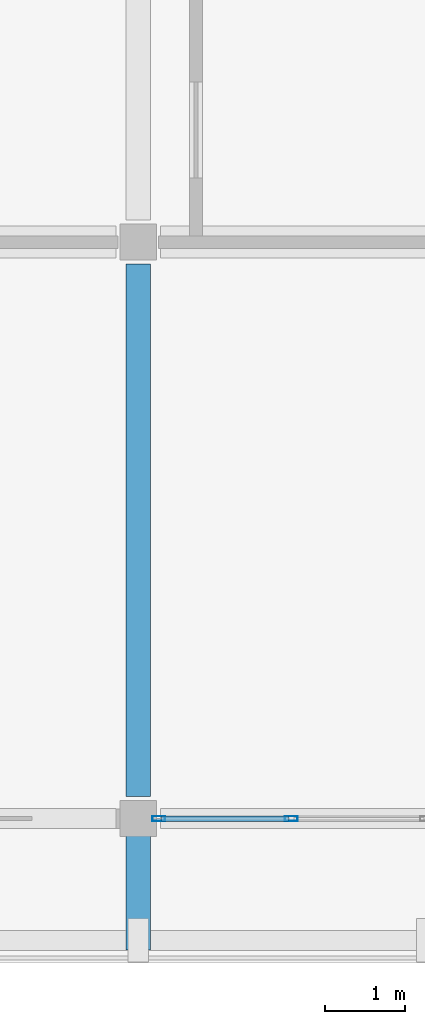
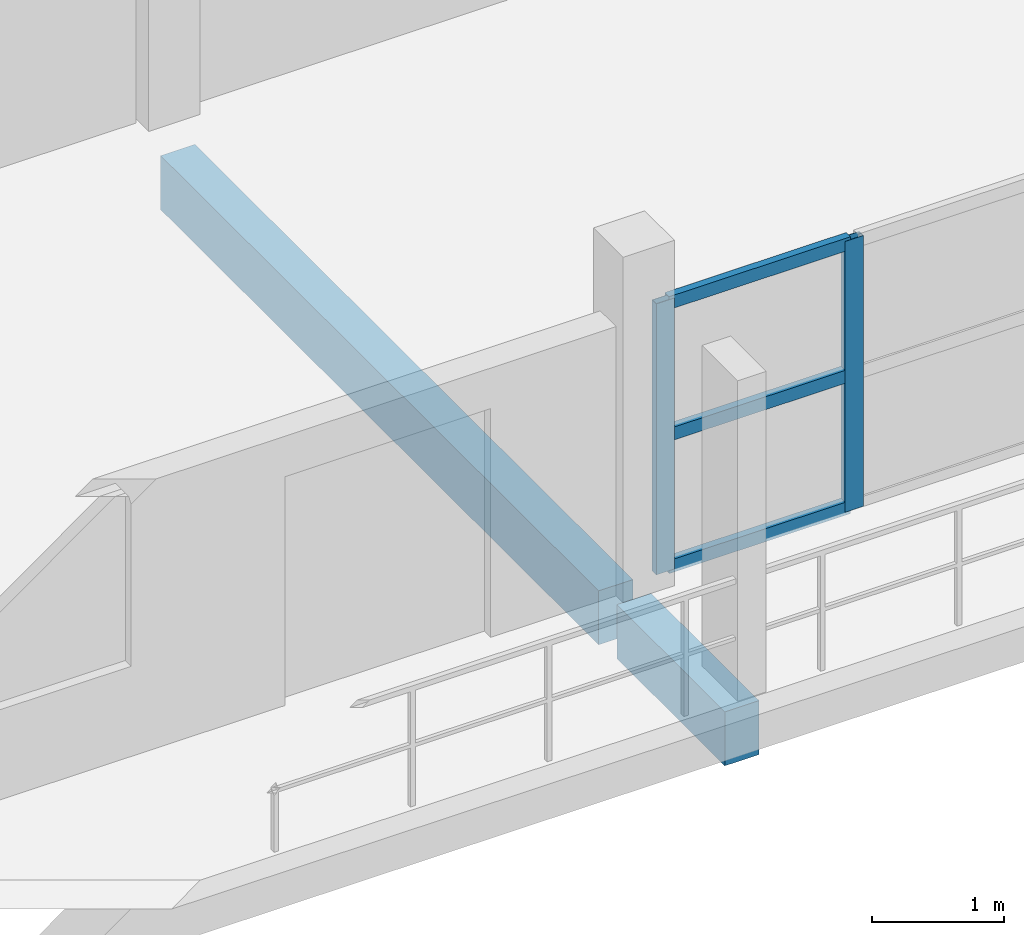
# One storey, part 4 of 56: 5 members, 2 beams, 1 element without a shape of its own.
"""IFC4 building model written with IfcOpenShell, lengths in metres."""

from ifc_helpers import new_model, si_unit, direction, frame, origin, origin_2d, place, context, subcontext, project, spatial, rectangle, hollow_rectangle, extrude, material, material_profile, profile_set, type_object, element, aggregate, save


model = new_model("IFC4")

# Units and contexts
model_context = context("Model", 3, precision=1e-05, world=origin(), true_north=direction((0.0, 1.0)))
body_context = subcontext(model_context, "Body", "Model", "MODEL_VIEW")
ifc_project = project(units=[si_unit("LENGTHUNIT", "METRE"), si_unit("AREAUNIT", "SQUARE_METRE"), si_unit("VOLUMEUNIT", "CUBIC_METRE"), si_unit("PLANEANGLEUNIT", "RADIAN"), si_unit("MASSUNIT", "GRAM", prefix="KILO")], contexts=[model_context])

# Site, building, storey
site_placement = place(None, origin())
site = spatial("IfcSite", under=ifc_project, at=site_placement, CompositionType="ELEMENT")
building_placement = place(site_placement, origin())
building = spatial("IfcBuilding", under=site, at=building_placement, Name="Suanplinth Sawtooth Commons", CompositionType="ELEMENT")
storey_placement = place(building_placement, frame((0.0, 0.0, 34.800048828125)))
storey = spatial("IfcBuildingStorey", under=building, at=storey_placement, Name="L10", CompositionType="ELEMENT", Elevation=34.800048828125)

# Beams
ifc_material_1 = material(Name="Precast concrete C40/50", Category="concrete")
ifc_material_profile_1 = material_profile(ifc_material_1, rectangle(XDim=0.300048828125, YDim=0.5, at=origin_2d()), Name="PC-BM 300x500")
ifc_profile_set_1 = profile_set([ifc_material_profile_1], Name="Precast concrete C40/50")
beam_type = type_object("IfcBeamType", Name="B-07", PredefinedType="BEAM", material=ifc_profile_set_1)
beam_1_placement = place(storey_placement, frame((144.0, 0.27490234375, -0.469970703125), z_axis=(0.0, 1.0, 0.0), x_axis=(-1.0, 0.0, 0.0)))
element("IfcBeam", 1, at=beam_1_placement, inside=storey, type_object=beam_type, Name="BMY-L10-C-20-0", PredefinedType="BEAM", context=body_context, shape_type="SweptSolid", body=[
    extrude(rectangle(XDim=0.300048828125, YDim=0.5, at=origin_2d()), origin(), (0.0, 0.0, 1.0), 6.650146484375),
])
beam_2_placement = place(storey_placement, frame((144.0, 0.0, -0.429931640625), z_axis=(0.0, -1.0, 0.0), x_axis=(1.0, 0.0, 0.0)))
element("IfcBeam", 2, at=beam_2_placement, inside=storey, type_object=beam_type, Name="Balcony Outrigger L10-C-S-20", PredefinedType="BEAM", context=body_context, shape_type="SweptSolid", body=[
    extrude(rectangle(XDim=0.300048828125, YDim=0.5, at=origin_2d()), origin(), (0.0, 0.0, 1.0), 1.639892578125),
])

# Curtain wall, members
ifc_material_2 = material(Name="Anodized aluminium and low-E glazing", Category="aluminium")
curtain_wall_type = type_object("IfcCurtainWallType", Name="CW-06", PredefinedType="USERDEFINED", material=ifc_material_2)
curtain_wall_placement = place(storey_placement, origin())
curtain_wall = element("IfcCurtainWall", 3, at=curtain_wall_placement, inside=storey, type_object=curtain_wall_type, Name="Curtain Wall CW-L10-C-LOUNGE-20", ObjectType="CURTAIN WALL", PredefinedType="USERDEFINED")
ifc_material_3 = material(Name="Anodized aluminium 6063-T6", Category="aluminium")
ifc_material_profile_2 = material_profile(ifc_material_3, hollow_rectangle(XDim=0.06494140625, YDim=0.159912109375, WallThickness=0.00390625, at=origin_2d()), Name="ALU-MUL 65x160")
ifc_profile_set_2 = profile_set([ifc_material_profile_2], Name="Anodized aluminium 6063-T6")
member_type_1 = type_object("IfcMemberType", Name="M-13", PredefinedType="MULLION", material=ifc_profile_set_2)
member_1_placement = place(storey_placement, frame((144.257568359375, 0.0, 0.0), z_axis=(0.0, 0.0, 1.0), x_axis=(0.0, 1.0, 0.0)))
member_1 = element("IfcMember", 4, at=member_1_placement, type_object=member_type_1, Name="CW-06 mullion 1", PredefinedType="MULLION", context=body_context, shape_type="SweptSolid", body=[
    extrude(hollow_rectangle(XDim=0.06494140625, YDim=0.159912109375, WallThickness=0.00390625, at=origin_2d()), origin(), (0.0, 0.0, 1.0), 2.510009765625),
])
member_2_placement = place(storey_placement, frame((145.91259765625, 0.0, 0.0), z_axis=(0.0, 0.0, 1.0), x_axis=(0.0, 1.0, 0.0)))
member_2 = element("IfcMember", 5, at=member_2_placement, type_object=member_type_1, Name="CW-06 mullion 2", PredefinedType="MULLION", context=body_context, shape_type="SweptSolid", body=[
    extrude(hollow_rectangle(XDim=0.06494140625, YDim=0.159912109375, WallThickness=0.00390625, at=origin_2d()), origin(), (0.0, 0.0, 1.0), 2.510009765625),
])
ifc_material_profile_3 = material_profile(ifc_material_3, hollow_rectangle(XDim=0.06494140625, YDim=0.1201171875, WallThickness=0.00390625, at=origin_2d()), Name="ALU-TRN 65x120")
ifc_profile_set_3 = profile_set([ifc_material_profile_3], Name="Anodized aluminium 6063-T6")
member_type_2 = type_object("IfcMemberType", Name="M-15", PredefinedType="USERDEFINED", material=ifc_profile_set_3)
member_3_placement = place(storey_placement, frame((144.2900390625, 0.0, 0.032470703125), z_axis=(1.0, 0.0, 0.0), x_axis=(0.0, 1.0, 0.0)))
member_3 = element("IfcMember", 6, at=member_3_placement, type_object=member_type_2, Name="CW-06 transom 1.1", ObjectType="TRANSOM", PredefinedType="USERDEFINED", context=body_context, shape_type="SweptSolid", body=[
    extrude(hollow_rectangle(XDim=0.06494140625, YDim=0.1201171875, WallThickness=0.00390625, at=origin_2d()), origin(), (0.0, 0.0, 1.0), 1.58984375),
])
member_4_placement = place(storey_placement, frame((144.2900390625, 0.0, 1.2548828125), z_axis=(1.0, 0.0, 0.0), x_axis=(0.0, 1.0, 0.0)))
member_4 = element("IfcMember", 7, at=member_4_placement, type_object=member_type_2, Name="CW-06 transom 1.2", ObjectType="TRANSOM", PredefinedType="USERDEFINED", context=body_context, shape_type="SweptSolid", body=[
    extrude(hollow_rectangle(XDim=0.06494140625, YDim=0.1201171875, WallThickness=0.00390625, at=origin_2d()), origin(), (0.0, 0.0, 1.0), 1.58984375),
])
member_5_placement = place(storey_placement, frame((144.2900390625, 0.0, 2.4775390625), z_axis=(1.0, 0.0, 0.0), x_axis=(0.0, 1.0, 0.0)))
member_5 = element("IfcMember", 8, at=member_5_placement, type_object=member_type_2, Name="CW-06 transom 1.3", ObjectType="TRANSOM", PredefinedType="USERDEFINED", context=body_context, shape_type="SweptSolid", body=[
    extrude(hollow_rectangle(XDim=0.06494140625, YDim=0.1201171875, WallThickness=0.00390625, at=origin_2d()), origin(), (0.0, 0.0, 1.0), 1.58984375),
])
aggregate(curtain_wall, [member_1, member_2, member_3, member_4, member_5])

save(model, "model.ifc")
